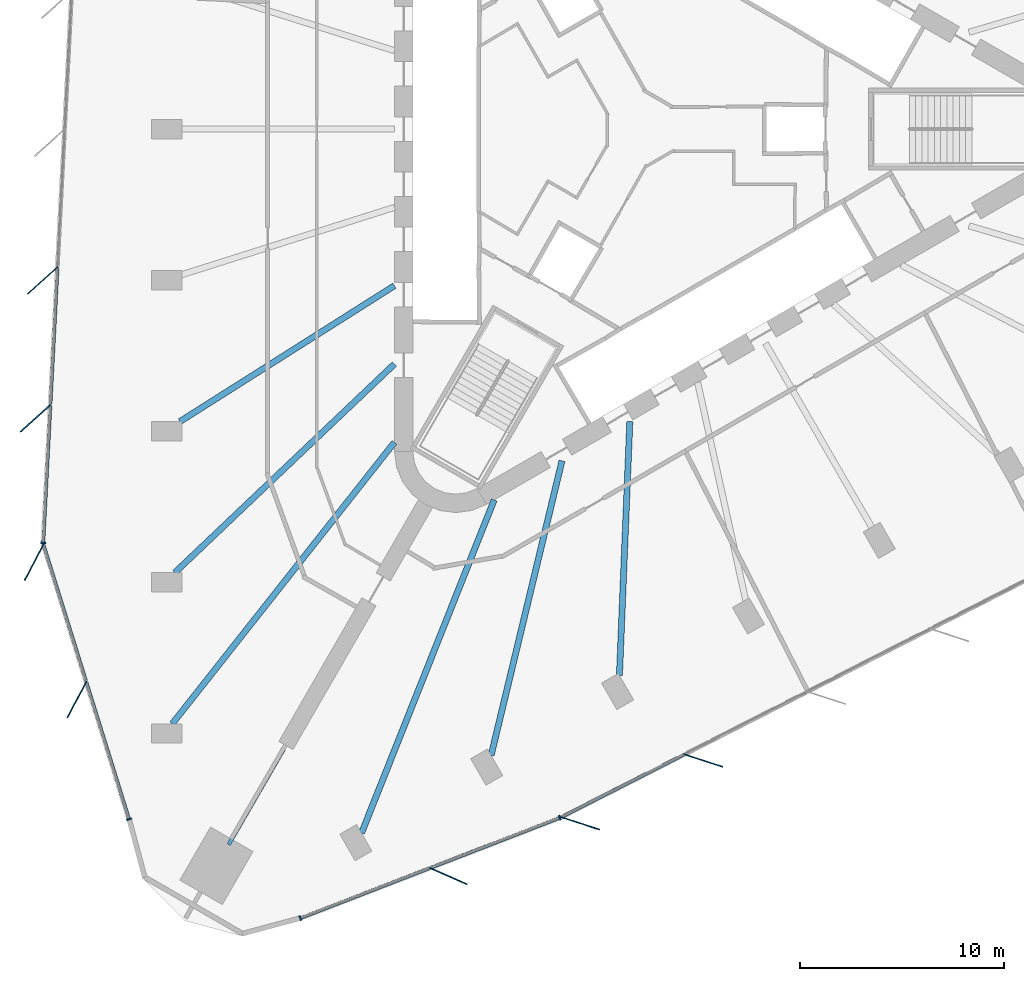
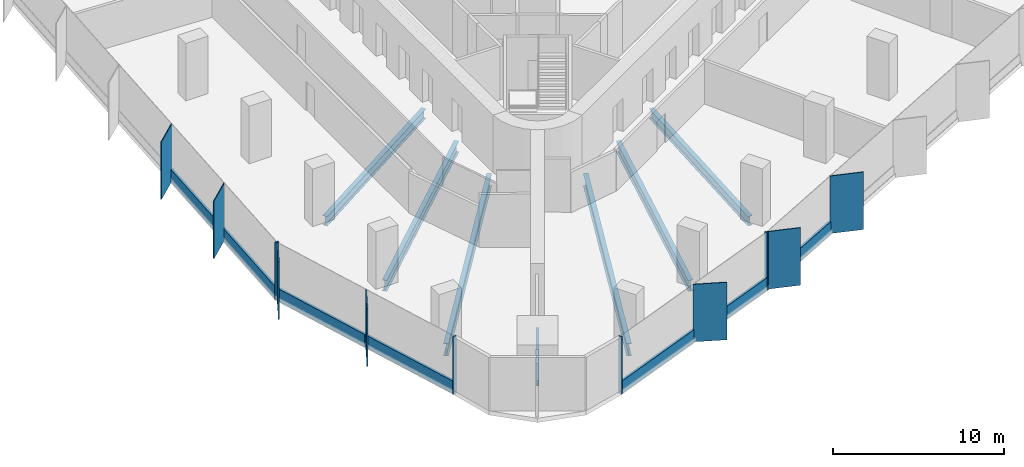
# One storey, part 2 of 14: 18 members, 7 beams, 4 elements without a shape of their own.
"""IFC4 building model written with IfcOpenShell, lengths in metres."""

from ifc_helpers import new_model, si_unit, direction, frame, origin, origin_2d, place, context, subcontext, project, spatial, rectangle, i_section, extrude, material, material_profile, profile_set, type_object, element, aggregate, save


model = new_model("IFC4")

# Units and contexts
model_context = context("Model", 3, precision=1e-05, world=origin(), true_north=direction((0.0, 1.0)))
body_context = subcontext(model_context, "Body", "Model", "MODEL_VIEW")
ifc_project = project(units=[si_unit("LENGTHUNIT", "METRE"), si_unit("AREAUNIT", "SQUARE_METRE"), si_unit("VOLUMEUNIT", "CUBIC_METRE"), si_unit("PLANEANGLEUNIT", "RADIAN"), si_unit("MASSUNIT", "GRAM", prefix="KILO")], contexts=[model_context])

# Site, building, storey
site_placement = place(None, origin())
site = spatial("IfcSite", under=ifc_project, at=site_placement, CompositionType="ELEMENT")
building_placement = place(site_placement, origin())
building = spatial("IfcBuilding", under=site, at=building_placement, Name="Tanit Gate Tower", CompositionType="ELEMENT")
storey_placement = place(building_placement, frame((0.0, 0.0, 70.10009765625)))
storey = spatial("IfcBuildingStorey", under=building, at=storey_placement, Name="L13", CompositionType="ELEMENT", Elevation=70.10009765625)

# Curtain wall, members
ifc_material_1 = material(Name="Aluminium bronze anodised and glass", Category="aluminium")
curtain_wall_type = type_object("IfcCurtainWallType", Name="Curtain wall typical low", PredefinedType="NOTDEFINED", material=ifc_material_1)
curtain_wall_1_placement = place(storey_placement, origin())
curtain_wall_1 = element("IfcCurtainWall", 1, at=curtain_wall_1_placement, inside=storey, type_object=curtain_wall_type, Name="Curtain wall L13 W2", PredefinedType="NOTDEFINED")
ifc_material_2 = material(Name="Aluminium bronze anodised", Category="aluminium")
ifc_material_profile_1 = material_profile(ifc_material_2, rectangle(XDim=2.0, YDim=0.055908203125, at=origin_2d()), Name="56x2000 bronze fin mullion")
ifc_profile_set_1 = profile_set([ifc_material_profile_1], Name="Aluminium bronze anodised")
member_type_1 = type_object("IfcMemberType", Name="FIN MULLION 56x2000 bronze", PredefinedType="MULLION", material=ifc_profile_set_1)
member_1_placement = place(storey_placement, frame((-29.304443359375, -7.400390625, -0.300048828125), z_axis=(0.0, 0.0, 1.0), x_axis=(0.742829073656, 0.66948111798, 0.0)))
member_1 = element("IfcMember", 2, at=member_1_placement, type_object=member_type_1, Name="Fin mullion L13 W2.5", PredefinedType="MULLION", context=body_context, shape_type="SweptSolid", body=[
    extrude(rectangle(XDim=2.0, YDim=0.055908203125, at=origin_2d()), origin(), (0.0, 0.0, 1.0), 4.099853515625),
])
member_2_placement = place(storey_placement, frame((-29.65478515625, -14.148193359375, -0.300048828125), z_axis=(0.0, 0.0, 1.0), x_axis=(0.742829073656, 0.66948111798, 0.0)))
member_2 = element("IfcMember", 3, at=member_2_placement, type_object=member_type_1, Name="Fin mullion L13 W2.6", PredefinedType="MULLION", context=body_context, shape_type="SweptSolid", body=[
    extrude(rectangle(XDim=2.0, YDim=0.055908203125, at=origin_2d()), origin(), (0.0, 0.0, 1.0), 4.099853515625),
])

curtain_wall_2_placement = place(storey_placement, origin())
curtain_wall_2 = element("IfcCurtainWall", 4, at=curtain_wall_2_placement, inside=storey, type_object=curtain_wall_type, Name="Curtain wall L13 W3", PredefinedType="NOTDEFINED")
member_3_placement = place(storey_placement, frame((-29.7236328125, -21.184814453125, -0.300048828125), z_axis=(0.0, 0.0, 1.0), x_axis=(0.464713557167, 0.885461071863, 0.0)))
member_3 = element("IfcMember", 5, at=member_3_placement, type_object=member_type_1, Name="Fin mullion L13 W3.1", PredefinedType="MULLION", context=body_context, shape_type="SweptSolid", body=[
    extrude(rectangle(XDim=2.0, YDim=0.055908203125, at=origin_2d()), origin(), (0.0, 0.0, 1.0), 4.099853515625),
])
member_4_placement = place(storey_placement, frame((-27.630126953125, -27.903076171875, -0.300048828125), z_axis=(0.0, 0.0, 1.0), x_axis=(0.464713557167, 0.885461071863, 0.0)))
member_4 = element("IfcMember", 6, at=member_4_placement, type_object=member_type_1, Name="Fin mullion L13 W3.2", PredefinedType="MULLION", context=body_context, shape_type="SweptSolid", body=[
    extrude(rectangle(XDim=2.0, YDim=0.055908203125, at=origin_2d()), origin(), (0.0, 0.0, 1.0), 4.099853515625),
])

# Curtain wall, member
curtain_wall_3_placement = place(storey_placement, origin())
curtain_wall_3 = element("IfcCurtainWall", 7, at=curtain_wall_3_placement, inside=storey, type_object=curtain_wall_type, Name="Curtain wall L13 SE1", PredefinedType="NOTDEFINED")
member_5_placement = place(storey_placement, frame((-9.4658203125, -36.538818359375, -0.300048828125), z_axis=(0.0, 0.0, 1.0), x_axis=(-0.914560400903, 0.404449345531, 0.0)))
member_5 = element("IfcMember", 8, at=member_5_placement, type_object=member_type_1, Name="Fin mullion L13 SE1.2", PredefinedType="MULLION", context=body_context, shape_type="SweptSolid", body=[
    extrude(rectangle(XDim=2.0, YDim=0.055908203125, at=origin_2d()), origin(), (0.0, 0.0, 1.0), 4.099853515625),
])

# Curtain wall, members
curtain_wall_4_placement = place(storey_placement, origin())
curtain_wall_4 = element("IfcCurtainWall", 9, at=curtain_wall_4_placement, inside=storey, type_object=curtain_wall_type, Name="Curtain wall L13 SE2", PredefinedType="NOTDEFINED")
member_6_placement = place(storey_placement, frame((-3.013916015625, -33.959228515625, -0.300048828125), z_axis=(0.0, 0.0, 1.0), x_axis=(-0.951202192353, 0.308568289465, 0.0)))
member_6 = element("IfcMember", 10, at=member_6_placement, type_object=member_type_1, Name="Fin mullion L13 SE2.1", PredefinedType="MULLION", context=body_context, shape_type="SweptSolid", body=[
    extrude(rectangle(XDim=2.0, YDim=0.055908203125, at=origin_2d()), origin(), (0.0, 0.0, 1.0), 4.099853515625),
])
member_7_placement = place(storey_placement, frame((3.0048828125, -30.888916015625, -0.300048828125), z_axis=(0.0, 0.0, 1.0), x_axis=(-0.951202192353, 0.308568289465, 0.0)))
member_7 = element("IfcMember", 11, at=member_7_placement, type_object=member_type_1, Name="Fin mullion L13 SE2.2", PredefinedType="MULLION", context=body_context, shape_type="SweptSolid", body=[
    extrude(rectangle(XDim=2.0, YDim=0.055908203125, at=origin_2d()), origin(), (0.0, 0.0, 1.0), 4.099853515625),
])

# Member
ifc_material_3 = material(Name="Aluminium bronze anodised", Category="aluminium")
ifc_material_profile_2 = material_profile(ifc_material_3, rectangle(XDim=0.239990234375, YDim=0.080078125, at=origin_2d()), Name="80x240 bronze mullion")
ifc_profile_set_2 = profile_set([ifc_material_profile_2], Name="Aluminium bronze anodised")
member_type_2 = type_object("IfcMemberType", Name="Mullion 80x240 typical low", PredefinedType="MULLION", material=ifc_profile_set_2)
member_8_placement = place(storey_placement, frame((-29.279296875, -20.241455078125, -0.300048828125), z_axis=(0.0, 0.0, 1.0), x_axis=(0.998654113645, -0.051864836844, 0.0)))
member_8 = element("IfcMember", 12, at=member_8_placement, type_object=member_type_2, Name="Mullion L13 W2.7", PredefinedType="MULLION", context=body_context, shape_type="SweptSolid", body=[
    extrude(rectangle(XDim=0.239990234375, YDim=0.080078125, at=origin_2d()), origin(), (0.0, 0.0, 1.0), 4.099853515625),
])

member_9_placement = place(storey_placement, frame((-25.082275390625, -33.755859375, -0.300048828125), z_axis=(0.0, 0.0, 1.0), x_axis=(0.954717635973, 0.297513420809, 0.0)))
member_9 = element("IfcMember", 13, at=member_9_placement, type_object=member_type_2, Name="Mullion L13 W3.3", PredefinedType="MULLION", context=body_context, shape_type="SweptSolid", body=[
    extrude(rectangle(XDim=0.239990234375, YDim=0.080078125, at=origin_2d()), origin(), (0.0, 0.0, 1.0), 4.099853515625),
])

member_10_placement = place(storey_placement, frame((-16.70263671875, -38.596435546875, -0.300048828125), z_axis=(0.0, 0.0, 1.0), x_axis=(-0.360702986411, 0.932680736155, 0.0)))
member_10 = element("IfcMember", 14, at=member_10_placement, type_object=member_type_2, Name="Mullion L13 SE1.1", PredefinedType="MULLION", context=body_context, shape_type="SweptSolid", body=[
    extrude(rectangle(XDim=0.239990234375, YDim=0.080078125, at=origin_2d()), origin(), (0.0, 0.0, 1.0), 4.099853515625),
])

member_11_placement = place(storey_placement, frame((-4.0166015625, -33.6904296875, -0.300048828125), z_axis=(0.0, 0.0, 1.0), x_axis=(-0.360702986411, 0.932680736155, 0.0)))
member_11 = element("IfcMember", 15, at=member_11_placement, type_object=member_type_2, Name="Mullion L13 SE1.3", PredefinedType="MULLION", context=body_context, shape_type="SweptSolid", body=[
    extrude(rectangle(XDim=0.239990234375, YDim=0.080078125, at=origin_2d()), origin(), (0.0, 0.0, 1.0), 4.099853515625),
])

# Beams
ifc_material_4 = material(Name="Steel S355", Category="steel")
ifc_material_profile_3 = material_profile(ifc_material_4, i_section(OverallWidth=0.300048828125, OverallDepth=0.68994140625, WebThickness=0.014404296875, FlangeThickness=0.027099609375, FilletRadius=0.027099609375, at=origin_2d()), Name="HEA 700")
ifc_profile_set_3 = profile_set([ifc_material_profile_3], Name="Steel S355")
beam_type_1 = type_object("IfcBeamType", Name="RADIAL GIRDER HEA 700 S355", PredefinedType="BEAM", material=ifc_profile_set_3)
for number, where, z_axis, x_axis, name in (
    (16, (-22.594482421875, -14.30810546875, -0.64501953125), (0.844843658907, 0.535013263392, 0.0), (-0.535013263392, 0.844843658907, 0.0), "RADIAL GIRDER"),
    (17, (-1.09375, -26.721435546875, -0.64501953125), (0.040888907348, 0.999163698928, 0.0), (-0.999163698928, 0.040888907348, 0.0), "RADIAL GIRDER"),
):
    element("IfcBeam", number, at=place(storey_placement, frame(where, z_axis=z_axis, x_axis=x_axis)), inside=storey, type_object=beam_type_1, Name=name, PredefinedType="BEAM", context=body_context, shape_type="SweptSolid", body=[
        extrude(i_section(OverallWidth=0.300048828125, OverallDepth=0.68994140625, WebThickness=0.014404296875, FlangeThickness=0.027099609375, FilletRadius=0.027099609375, at=origin_2d()), origin(), (0.0, 0.0, 1.0), 12.41943359375),
    ])
ifc_material_5 = material(Name="Steel S355", Category="steel")
ifc_material_profile_4 = material_profile(ifc_material_5, i_section(OverallWidth=0.300048828125, OverallDepth=0.7900390625, WebThickness=0.014892578125, FlangeThickness=0.028076171875, FilletRadius=0.030029296875, at=origin_2d()), Name="HEA 800")
ifc_profile_set_4 = profile_set([ifc_material_profile_4], Name="Steel S355")
beam_type_2 = type_object("IfcBeamType", Name="RADIAL GIRDER HEA 800 S355", PredefinedType="BEAM", material=ifc_profile_set_4)
beam_1_placement = place(storey_placement, frame((-22.844482421875, -21.69921875, -0.695068359375), z_axis=(0.725048389389, 0.688697925831, 0.0), x_axis=(-0.688697925831, 0.725048389389, 0.0)))
element("IfcBeam", 18, at=beam_1_placement, inside=storey, type_object=beam_type_2, Name="RADIAL GIRDER", PredefinedType="BEAM", context=body_context, shape_type="SweptSolid", body=[
    extrude(i_section(OverallWidth=0.300048828125, OverallDepth=0.7900390625, WebThickness=0.014892578125, FlangeThickness=0.028076171875, FilletRadius=0.030029296875, at=origin_2d()), origin(), (0.0, 0.0, 1.0), 14.816162109375),
])
beam_2_placement = place(storey_placement, frame((-7.3701171875, -30.633544921875, -0.695068359375), z_axis=(0.233918851889, 0.972256124039, 0.0), x_axis=(-0.972256124039, 0.233918851889, 0.0)))
element("IfcBeam", 19, at=beam_2_placement, inside=storey, type_object=beam_type_2, Name="RADIAL GIRDER", PredefinedType="BEAM", context=body_context, shape_type="SweptSolid", body=[
    extrude(i_section(OverallWidth=0.300048828125, OverallDepth=0.7900390625, WebThickness=0.014892578125, FlangeThickness=0.028076171875, FilletRadius=0.030029296875, at=origin_2d()), origin(), (0.0, 0.0, 1.0), 14.81640625),
])
ifc_material_6 = material(Name="Steel S355", Category="steel")
ifc_material_profile_5 = material_profile(ifc_material_6, i_section(OverallWidth=0.300048828125, OverallDepth=0.889892578125, WebThickness=0.01611328125, FlangeThickness=0.030029296875, FilletRadius=0.030029296875, at=origin_2d()), Name="HEA 900")
ifc_profile_set_5 = profile_set([ifc_material_profile_5], Name="Steel S355")
beam_type_3 = type_object("IfcBeamType", Name="RADIAL GIRDER HEA 900 S355", PredefinedType="BEAM", material=ifc_profile_set_5)
for number, where, z_axis, x_axis, name in (
    (20, (-22.969482421875, -29.0908203125, -0.7451171875), (0.619692585411, 0.784844634043, 0.0), (-0.784844634043, 0.619692585411, 0.0), "RADIAL GIRDER"),
    (21, (-13.708740234375, -34.4375, -0.7451171875), (0.369856388191, 0.929088936601, 0.0), (-0.929088936601, 0.369856388191, 0.0), "RADIAL GIRDER"),
):
    element("IfcBeam", number, at=place(storey_placement, frame(where, z_axis=z_axis, x_axis=x_axis)), inside=storey, type_object=beam_type_3, Name=name, PredefinedType="BEAM", context=body_context, shape_type="SweptSolid", body=[
        extrude(i_section(OverallWidth=0.300048828125, OverallDepth=0.889892578125, WebThickness=0.01611328125, FlangeThickness=0.030029296875, FilletRadius=0.030029296875, at=origin_2d()), origin(), (0.0, 0.0, 1.0), 17.536865234375),
    ])
ifc_material_7 = material(Name="Steel S355", Category="steel")
ifc_material_profile_6 = material_profile(ifc_material_7, i_section(OverallWidth=0.179931640625, OverallDepth=0.39990234375, WebThickness=0.008544921875, FlangeThickness=0.013427734375, FilletRadius=0.02099609375, at=origin_2d()), Name="IPE 400")
ifc_profile_set_6 = profile_set([ifc_material_profile_6], Name="Steel S355")
beam_type_4 = type_object("IfcBeamType", Name="RADIAL GIRDER IPE 400 S355", PredefinedType="BEAM", material=ifc_profile_set_6)
beam_3_placement = place(storey_placement, frame((-20.206787109375, -34.999267578125, -0.5), z_axis=(0.499994808408, 0.866028401131, 0.0), x_axis=(-0.866028401131, 0.499994808408, 0.0)))
element("IfcBeam", 22, at=beam_3_placement, inside=storey, type_object=beam_type_4, Name="RADIAL GIRDER", PredefinedType="BEAM", context=body_context, shape_type="SweptSolid", body=[
    extrude(i_section(OverallWidth=0.179931640625, OverallDepth=0.39990234375, WebThickness=0.008544921875, FlangeThickness=0.013427734375, FilletRadius=0.02099609375, at=origin_2d()), origin(), (0.0, 0.0, 1.0), 5.3798828125),
])

# Member
ifc_material_8 = material(Name="Aluminium bronze anodised", Category="aluminium")
ifc_material_profile_7 = material_profile(ifc_material_8, rectangle(XDim=0.159912109375, YDim=0.89990234375, at=origin_2d()), Name="160x900 bronze transom")
ifc_profile_set_7 = profile_set([ifc_material_profile_7], Name="Aluminium bronze anodised")
member_type_3 = type_object("IfcMemberType", Name="Transom 160x900 typical low", PredefinedType="USERDEFINED", material=ifc_profile_set_7)
member_12_placement = place(storey_placement, frame((-28.580322265625, -6.7861328125, 0.14990234375), z_axis=(-0.051887098471, -0.998652957244, 0.0), x_axis=(0.998652957244, -0.051887098471, 0.0)))
member_12 = element("IfcMember", 23, at=member_12_placement, type_object=member_type_3, Name="Transom L13 W2.5", ObjectType="TRANSOM", PredefinedType="USERDEFINED", context=body_context, shape_type="SweptSolid", body=[
    extrude(rectangle(XDim=0.159912109375, YDim=0.89990234375, at=origin_2d()), origin(), (0.0, 0.0, 1.0), 6.6767578125),
])

member_13_placement = place(storey_placement, frame((-28.930908203125, -13.53369140625, 0.14990234375), z_axis=(-0.051850630851, -0.998654851328, 0.0), x_axis=(0.998654851328, -0.051850630851, 0.0)))
member_13 = element("IfcMember", 24, at=member_13_placement, type_object=member_type_3, Name="Transom L13 W2.6", ObjectType="TRANSOM", PredefinedType="USERDEFINED", context=body_context, shape_type="SweptSolid", body=[
    extrude(rectangle(XDim=0.159912109375, YDim=0.89990234375, at=origin_2d()), origin(), (0.0, 0.0, 1.0), 6.6767578125),
])

aggregate(curtain_wall_1, [member_1, member_2, member_8, member_12, member_13])

member_14_placement = place(storey_placement, frame((-29.257568359375, -20.357666015625, 0.14990234375), z_axis=(0.297521579242, -0.954715093568, 0.0), x_axis=(0.954715093568, 0.297521579242, 0.0)))
member_14 = element("IfcMember", 25, at=member_14_placement, type_object=member_type_3, Name="Transom L13 W3.1", ObjectType="TRANSOM", PredefinedType="USERDEFINED", context=body_context, shape_type="SweptSolid", body=[
    extrude(rectangle(XDim=0.159912109375, YDim=0.89990234375, at=origin_2d()), origin(), (0.0, 0.0, 1.0), 6.956787109375),
])

member_15_placement = place(storey_placement, frame((-27.163818359375, -27.075927734375, 0.14990234375), z_axis=(0.297489591805, -0.954725061349, 0.0), x_axis=(0.954725061349, 0.297489591805, 0.0)))
member_15 = element("IfcMember", 26, at=member_15_placement, type_object=member_type_3, Name="Transom L13 W3.2", ObjectType="TRANSOM", PredefinedType="USERDEFINED", context=body_context, shape_type="SweptSolid", body=[
    extrude(rectangle(XDim=0.159912109375, YDim=0.89990234375, at=origin_2d()), origin(), (0.0, 0.0, 1.0), 6.956787109375),
])

aggregate(curtain_wall_2, [member_3, member_4, member_9, member_14, member_15])

member_16_placement = place(storey_placement, frame((-16.665283203125, -38.58203125, 0.14990234375), z_axis=(0.932686791594, 0.360687328286, 0.0), x_axis=(-0.360687328286, 0.932686791594, 0.0)))
member_16 = element("IfcMember", 27, at=member_16_placement, type_object=member_type_3, Name="Transom L13 SE1.1", ObjectType="TRANSOM", PredefinedType="USERDEFINED", context=body_context, shape_type="SweptSolid", body=[
    extrude(rectangle(XDim=0.159912109375, YDim=0.89990234375, at=origin_2d()), origin(), (0.0, 0.0, 1.0), 6.720703125),
])

member_17_placement = place(storey_placement, frame((-10.322265625, -36.12890625, 0.14990234375), z_axis=(0.932686791594, 0.360687328286, 0.0), x_axis=(-0.360687328286, 0.932686791594, 0.0)))
member_17 = element("IfcMember", 28, at=member_17_placement, type_object=member_type_3, Name="Transom L13 SE1.2", ObjectType="TRANSOM", PredefinedType="USERDEFINED", context=body_context, shape_type="SweptSolid", body=[
    extrude(rectangle(XDim=0.159912109375, YDim=0.89990234375, at=origin_2d()), origin(), (0.0, 0.0, 1.0), 6.720703125),
])

aggregate(curtain_wall_3, [member_10, member_5, member_11, member_16, member_17])

member_18_placement = place(storey_placement, frame((-3.907958984375, -33.6396484375, 0.14990234375), z_axis=(0.890792681995, 0.454409944549, 0.0), x_axis=(-0.454409944549, 0.890792681995, 0.0)))
member_18 = element("IfcMember", 29, at=member_18_placement, type_object=member_type_3, Name="Transom L13 SE2.1", ObjectType="TRANSOM", PredefinedType="USERDEFINED", context=body_context, shape_type="SweptSolid", body=[
    extrude(rectangle(XDim=0.159912109375, YDim=0.89990234375, at=origin_2d()), origin(), (0.0, 0.0, 1.0), 6.6767578125),
])

aggregate(curtain_wall_4, [member_6, member_7, member_18])

save(model, "model.ifc")
